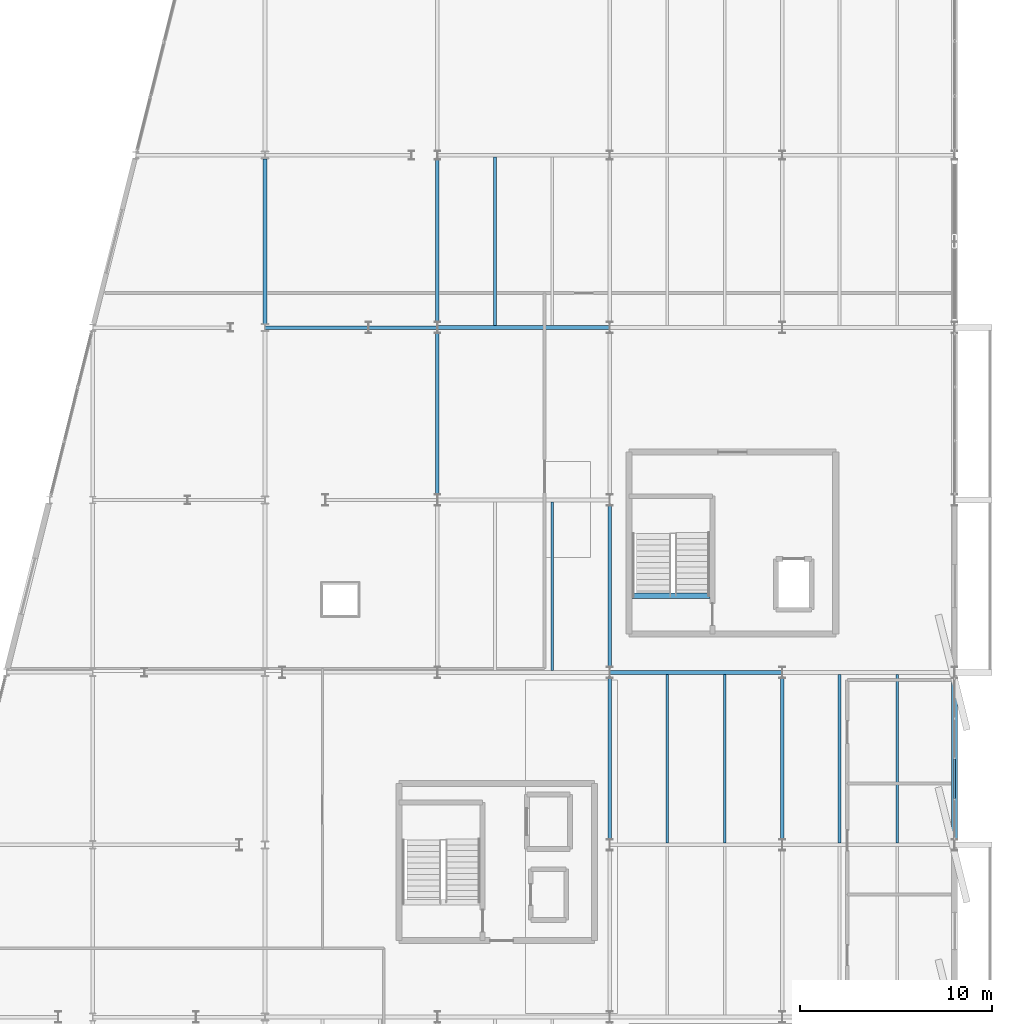
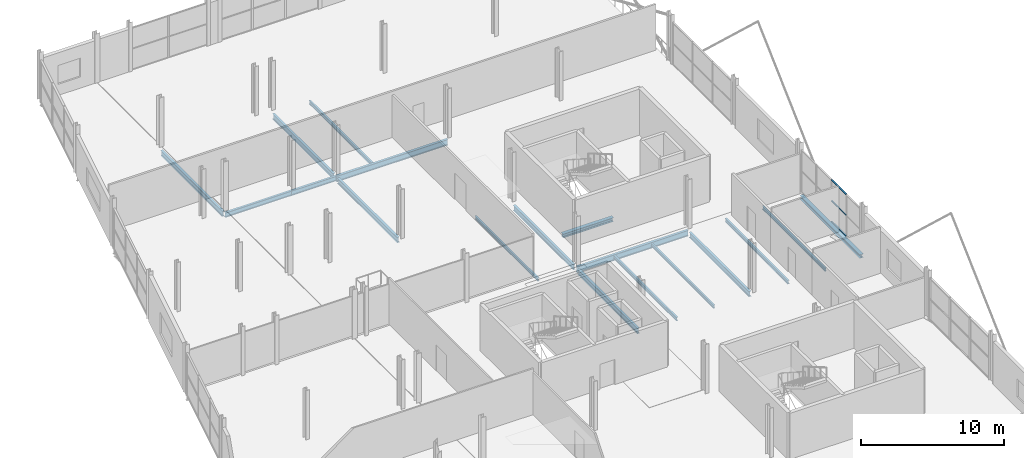
# One storey, part 58 of 103: 18 beams, 3 members, 1 element without a shape of its own.
"""IFC4 building model written with IfcOpenShell, lengths in metres."""

from ifc_helpers import new_model, si_unit, direction, frame, origin, origin_2d, place, context, subcontext, project, spatial, hollow_rectangle, i_section, extrude, material, layer, layer_set, material_profile, profile_set, type_object, element, aggregate, save


model = new_model("IFC4")

# Units and contexts
model_context = context("Model", 3, precision=1e-05, world=origin(), true_north=direction((0.0, 1.0)))
body_context = subcontext(model_context, "Body", "Model", "MODEL_VIEW")
ifc_project = project(units=[si_unit("LENGTHUNIT", "METRE"), si_unit("AREAUNIT", "SQUARE_METRE"), si_unit("VOLUMEUNIT", "CUBIC_METRE"), si_unit("PLANEANGLEUNIT", "RADIAN"), si_unit("MASSUNIT", "GRAM", prefix="KILO")], contexts=[model_context])

# Site, building, storey
site_placement = place(None, origin())
site = spatial("IfcSite", under=ifc_project, at=site_placement, CompositionType="ELEMENT")
building_placement = place(site_placement, origin())
building = spatial("IfcBuilding", under=site, at=building_placement, Name="Deido Ridge Mobility Hub", CompositionType="ELEMENT")
storey_placement = place(building_placement, frame((0.0, 0.0, 12.60009765625)))
storey = spatial("IfcBuildingStorey", under=building, at=storey_placement, Name="L03", CompositionType="ELEMENT", Elevation=12.60009765625)

# Beams
ifc_material_1 = material(Name="Steel S355J2 EN 10025-2", Category="steel")
ifc_material_profile_1 = material_profile(ifc_material_1, i_section(OverallWidth=0.300048828125, OverallDepth=0.330078125, WebThickness=0.009521484375, FlangeThickness=0.0166015625, FilletRadius=0.027099609375, at=origin_2d()), Name="HEA 340")
ifc_profile_set_1 = profile_set([ifc_material_profile_1], Name="Steel S355J2 EN 10025-2")
beam_type_1 = type_object("IfcBeamType", Name="BM-HEA340", PredefinedType="BEAM", material=ifc_profile_set_1)
beam_1_placement = place(storey_placement, frame((163.16259765625, 40.0, -0.43017578125), z_axis=(1.0, 0.0, 0.0), x_axis=(0.0, 1.0, 0.0)))
element("IfcBeam", 1, at=beam_1_placement, inside=storey, type_object=beam_type_1, Name="C2 stair landing trimmer beam B6", PredefinedType="BEAM", context=body_context, shape_type="SweptSolid", body=[
    extrude(i_section(OverallWidth=0.300048828125, OverallDepth=0.330078125, WebThickness=0.009521484375, FlangeThickness=0.0166015625, FilletRadius=0.027099609375, at=origin_2d()), origin(), (0.0, 0.0, 1.0), 4.072509765625),
])
ifc_material_profile_2 = material_profile(ifc_material_1, i_section(OverallWidth=0.179931640625, OverallDepth=0.39990234375, WebThickness=0.008544921875, FlangeThickness=0.013427734375, FilletRadius=0.02099609375, at=origin_2d()), Name="IPE 400")
ifc_profile_set_2 = profile_set([ifc_material_profile_2], Name="Steel S355J2 EN 10025-2")
beam_type_2 = type_object("IfcBeamType", Name="BM-IPE400", PredefinedType="BEAM", material=ifc_profile_set_2)
beam_2_placement = place(storey_placement, frame((144.0087890625, 54.0, -0.465087890625), z_axis=(1.0, 0.0, 0.0), x_axis=(0.0, 1.0, 0.0)))
element("IfcBeam", 2, at=beam_2_placement, inside=storey, type_object=beam_type_2, Name="Floor beam B5", PredefinedType="BEAM", context=body_context, shape_type="SweptSolid", body=[
    extrude(i_section(OverallWidth=0.179931640625, OverallDepth=0.39990234375, WebThickness=0.008544921875, FlangeThickness=0.013427734375, FilletRadius=0.02099609375, at=origin_2d()), origin(), (0.0, 0.0, 1.0), 5.383544921875),
])
beam_3_placement = place(storey_placement, frame((149.40771484375, 54.0, -0.465087890625), z_axis=(1.0, 0.0, 0.0), x_axis=(0.0, 1.0, 0.0)))
element("IfcBeam", 3, at=beam_3_placement, inside=storey, type_object=beam_type_2, Name="Floor beam B5", PredefinedType="BEAM", context=body_context, shape_type="SweptSolid", body=[
    extrude(i_section(OverallWidth=0.179931640625, OverallDepth=0.39990234375, WebThickness=0.008544921875, FlangeThickness=0.013427734375, FilletRadius=0.02099609375, at=origin_2d()), origin(), (0.0, 0.0, 1.0), 3.58447265625),
])
ifc_material_profile_3 = material_profile(ifc_material_1, i_section(OverallWidth=0.18994140625, OverallDepth=0.449951171875, WebThickness=0.009521484375, FlangeThickness=0.0146484375, FilletRadius=0.02099609375, at=origin_2d()), Name="IPE 450")
ifc_profile_set_3 = profile_set([ifc_material_profile_3], Name="Steel S355J2 EN 10025-2")
beam_type_3 = type_object("IfcBeamType", Name="BM-IPE450", PredefinedType="BEAM", material=ifc_profile_set_3)
beam_4_placement = place(storey_placement, frame((144.0, 54.196533203125, -0.489990234375), z_axis=(0.0, 1.0, 0.0), x_axis=(-1.0, 0.0, 0.0)))
element("IfcBeam", 4, at=beam_4_placement, inside=storey, type_object=beam_type_3, Name="Floor beam B4", PredefinedType="BEAM", context=body_context, shape_type="SweptSolid", body=[
    extrude(i_section(OverallWidth=0.18994140625, OverallDepth=0.449951171875, WebThickness=0.009521484375, FlangeThickness=0.0146484375, FilletRadius=0.02099609375, at=origin_2d()), origin(), (0.0, 0.0, 1.0), 8.60693359375),
])
beam_5_placement = place(storey_placement, frame((153.0, 45.300048828125, -0.489990234375), z_axis=(0.0, 1.0, 0.0), x_axis=(-1.0, 0.0, 0.0)))
element("IfcBeam", 5, at=beam_5_placement, inside=storey, type_object=beam_type_3, Name="Floor beam B4", PredefinedType="BEAM", context=body_context, shape_type="SweptSolid", body=[
    extrude(i_section(OverallWidth=0.18994140625, OverallDepth=0.449951171875, WebThickness=0.009521484375, FlangeThickness=0.0146484375, FilletRadius=0.02099609375, at=origin_2d()), origin(), (0.0, 0.0, 1.0), 8.39990234375),
])
beam_6_placement = place(storey_placement, frame((153.0, 54.300048828125, -0.489990234375), z_axis=(0.0, 1.0, 0.0), x_axis=(-1.0, 0.0, 0.0)))
element("IfcBeam", 6, at=beam_6_placement, inside=storey, type_object=beam_type_3, Name="Floor beam B4", PredefinedType="BEAM", context=body_context, shape_type="SweptSolid", body=[
    extrude(i_section(OverallWidth=0.18994140625, OverallDepth=0.449951171875, WebThickness=0.009521484375, FlangeThickness=0.0146484375, FilletRadius=0.02099609375, at=origin_2d()), origin(), (0.0, 0.0, 1.0), 8.474853515625),
])
for number, where, z_axis, x_axis, name in (
    (7, (162.0, 27.300048828125, -0.489990234375), (0.0, 1.0, 0.0), (-1.0, 0.0, 0.0), "Floor beam B4"),
    (8, (162.0, 36.300048828125, -0.489990234375), (0.0, 1.0, 0.0), (-1.0, 0.0, 0.0), "Floor beam B4"),
    (9, (171.0, 27.300048828125, -0.489990234375), (0.0, 1.0, 0.0), (-1.0, 0.0, 0.0), "Floor beam B4"),
):
    element("IfcBeam", number, at=place(storey_placement, frame(where, z_axis=z_axis, x_axis=x_axis)), inside=storey, type_object=beam_type_3, Name=name, PredefinedType="BEAM", context=body_context, shape_type="SweptSolid", body=[
        extrude(i_section(OverallWidth=0.18994140625, OverallDepth=0.449951171875, WebThickness=0.009521484375, FlangeThickness=0.0146484375, FilletRadius=0.02099609375, at=origin_2d()), origin(), (0.0, 0.0, 1.0), 8.39990234375),
    ])
ifc_material_profile_4 = material_profile(ifc_material_1, i_section(OverallWidth=0.199951171875, OverallDepth=0.5, WebThickness=0.01025390625, FlangeThickness=0.01611328125, FilletRadius=0.02099609375, at=origin_2d()), Name="IPE 500")
ifc_profile_set_4 = profile_set([ifc_material_profile_4], Name="Steel S355J2 EN 10025-2")
beam_type_4 = type_object("IfcBeamType", Name="BM-IPE500", PredefinedType="BEAM", material=ifc_profile_set_4)
for number, where, z_axis, x_axis, name in (
    (10, (153.0078125, 54.0, -0.51513671875), (1.0, 0.0, 0.0), (0.0, 1.0, 0.0), "Floor beam B3"),
    (11, (162.0078125, 36.0, -0.51513671875), (1.0, 0.0, 0.0), (0.0, 1.0, 0.0), "Floor beam B3"),
):
    element("IfcBeam", number, at=place(storey_placement, frame(where, z_axis=z_axis, x_axis=x_axis)), inside=storey, type_object=beam_type_4, Name=name, PredefinedType="BEAM", context=body_context, shape_type="SweptSolid", body=[
        extrude(i_section(OverallWidth=0.199951171875, OverallDepth=0.5, WebThickness=0.01025390625, FlangeThickness=0.01611328125, FilletRadius=0.02099609375, at=origin_2d()), origin(), (0.0, 0.0, 1.0), 8.984375),
    ])
ifc_material_profile_5 = material_profile(ifc_material_1, i_section(OverallWidth=0.135009765625, OverallDepth=0.27001953125, WebThickness=0.006591796875, FlangeThickness=0.01025390625, FilletRadius=0.014892578125, at=origin_2d()), Name="IPE 270")
ifc_profile_set_5 = profile_set([ifc_material_profile_5], Name="Steel S355J2 EN 10025-2")
beam_type_5 = type_object("IfcBeamType", Name="JST-IPE270", PredefinedType="JOIST", material=ifc_profile_set_5)
for number, where, z_axis, x_axis, name in (
    (12, (168.0, 27.10009765625, -0.400146484375), (0.0, 1.0, 0.0), (-1.0, 0.0, 0.0), "Composite joist J4"),
    (13, (177.0, 27.10009765625, -0.400146484375), (0.0, 1.0, 0.0), (-1.0, 0.0, 0.0), "Composite joist J4"),
    (14, (159.0, 36.10009765625, -0.400146484375), (0.0, 1.0, 0.0), (-1.0, 0.0, 0.0), "Composite joist J4"),
):
    element("IfcBeam", number, at=place(storey_placement, frame(where, z_axis=z_axis, x_axis=x_axis)), inside=storey, type_object=beam_type_5, Name=name, PredefinedType="JOIST", context=body_context, shape_type="SweptSolid", body=[
        extrude(i_section(OverallWidth=0.135009765625, OverallDepth=0.27001953125, WebThickness=0.006591796875, FlangeThickness=0.01025390625, FilletRadius=0.014892578125, at=origin_2d()), origin(), (0.0, 0.0, 1.0), 8.7998046875),
    ])
ifc_material_profile_6 = material_profile(ifc_material_1, i_section(OverallWidth=0.14990234375, OverallDepth=0.300048828125, WebThickness=0.007080078125, FlangeThickness=0.0107421875, FilletRadius=0.014892578125, at=origin_2d()), Name="IPE 300")
ifc_profile_set_6 = profile_set([ifc_material_profile_6], Name="Steel S355J2 EN 10025-2")
beam_type_6 = type_object("IfcBeamType", Name="JST-IPE300", PredefinedType="JOIST", material=ifc_profile_set_6)
for number, where, z_axis, x_axis, name in (
    (15, (165.0, 27.10009765625, -0.4150390625), (0.0, 1.0, 0.0), (-1.0, 0.0, 0.0), "Composite joist J3"),
    (16, (174.0, 27.10009765625, -0.4150390625), (0.0, 1.0, 0.0), (-1.0, 0.0, 0.0), "Composite joist J3"),
    (17, (156.0, 54.10009765625, -0.4150390625), (0.0, 1.0, 0.0), (-1.0, 0.0, 0.0), "Composite joist J3"),
):
    element("IfcBeam", number, at=place(storey_placement, frame(where, z_axis=z_axis, x_axis=x_axis)), inside=storey, type_object=beam_type_6, Name=name, PredefinedType="JOIST", context=body_context, shape_type="SweptSolid", body=[
        extrude(i_section(OverallWidth=0.14990234375, OverallDepth=0.300048828125, WebThickness=0.007080078125, FlangeThickness=0.0107421875, FilletRadius=0.014892578125, at=origin_2d()), origin(), (0.0, 0.0, 1.0), 8.7998046875),
    ])

# Curtain wall, members
ifc_material_2 = material(Name="Anodised aluminium EN AW-6063 T6", Category="aluminium")
ifc_layer = layer(ifc_material_2, 0.1650390625, Name="Anodised aluminium EN AW-6063 T6")
ifc_layer_set = layer_set([ifc_layer], Name="Anodised aluminium EN AW-6063 T6")
curtain_wall_type = type_object("IfcCurtainWallType", Name="CW-UF-1", PredefinedType="USERDEFINED", material=ifc_layer_set)
curtain_wall_placement = place(storey_placement, origin())
curtain_wall = element("IfcCurtainWall", 18, at=curtain_wall_placement, inside=storey, type_object=curtain_wall_type, Name="Unitised curtain wall CW1", ObjectType="UNITISED FACADE", PredefinedType="USERDEFINED")
ifc_material_profile_7 = material_profile(ifc_material_2, hollow_rectangle(XDim=0.10498046875, YDim=0.050048828125, WallThickness=0.00390625, at=origin_2d()), Name="RHS 105x50x4")
ifc_profile_set_7 = profile_set([ifc_material_profile_7], Name="Anodised aluminium EN AW-6063 T6")
member_type = type_object("IfcMemberType", Name="MEM-TRN-105X50", PredefinedType="USERDEFINED", material=ifc_profile_set_7)
member_1_placement = place(storey_placement, frame((180.0, 29.425048828125, 0.02490234375), z_axis=(0.0, 1.0, 0.0), x_axis=(-1.0, 0.0, 0.0)))
member_1 = element("IfcMember", 19, at=member_1_placement, type_object=member_type, Name="CW1 transom 2.1", ObjectType="TRANSOM", PredefinedType="USERDEFINED", context=body_context, shape_type="SweptSolid", body=[
    extrude(hollow_rectangle(XDim=0.10498046875, YDim=0.050048828125, WallThickness=0.00390625, at=origin_2d()), origin(), (0.0, 0.0, 1.0), 2.050048828125),
])
member_2_placement = place(storey_placement, frame((180.0, 29.425048828125, 1.7998046875), z_axis=(0.0, 1.0, 0.0), x_axis=(-1.0, 0.0, 0.0)))
member_2 = element("IfcMember", 20, at=member_2_placement, type_object=member_type, Name="CW1 transom 2.2", ObjectType="TRANSOM", PredefinedType="USERDEFINED", context=body_context, shape_type="SweptSolid", body=[
    extrude(hollow_rectangle(XDim=0.10498046875, YDim=0.050048828125, WallThickness=0.00390625, at=origin_2d()), origin(), (0.0, 0.0, 1.0), 2.050048828125),
])
member_3_placement = place(storey_placement, frame((180.0, 29.425048828125, 3.574951171875), z_axis=(0.0, 1.0, 0.0), x_axis=(-1.0, 0.0, 0.0)))
member_3 = element("IfcMember", 21, at=member_3_placement, type_object=member_type, Name="CW1 transom 2.3", ObjectType="TRANSOM", PredefinedType="USERDEFINED", context=body_context, shape_type="SweptSolid", body=[
    extrude(hollow_rectangle(XDim=0.10498046875, YDim=0.050048828125, WallThickness=0.00390625, at=origin_2d()), origin(), (0.0, 0.0, 1.0), 2.050048828125),
])
aggregate(curtain_wall, [member_1, member_2, member_3])

# Beam
ifc_material_profile_8 = material_profile(ifc_material_1, i_section(OverallWidth=0.300048828125, OverallDepth=0.300048828125, WebThickness=0.010986328125, FlangeThickness=0.01904296875, FilletRadius=0.027099609375, at=origin_2d()), Name="HEB 300")
ifc_profile_set_8 = profile_set([ifc_material_profile_8], Name="Steel S355J2 EN 10025-2")
beam_type_7 = type_object("IfcBeamType", Name="SPD-HEB300", PredefinedType="SPANDREL", material=ifc_profile_set_8)
beam_7_placement = place(storey_placement, frame((180.0, 27.300048828125, -0.4150390625), z_axis=(0.0, 1.0, 0.0), x_axis=(-1.0, 0.0, 0.0)))
element("IfcBeam", 22, at=beam_7_placement, inside=storey, type_object=beam_type_7, Name="Floor beam SP1", PredefinedType="SPANDREL", context=body_context, shape_type="SweptSolid", body=[
    extrude(i_section(OverallWidth=0.300048828125, OverallDepth=0.300048828125, WebThickness=0.010986328125, FlangeThickness=0.01904296875, FilletRadius=0.027099609375, at=origin_2d()), origin(), (0.0, 0.0, 1.0), 8.39990234375),
])

save(model, "model.ifc")
